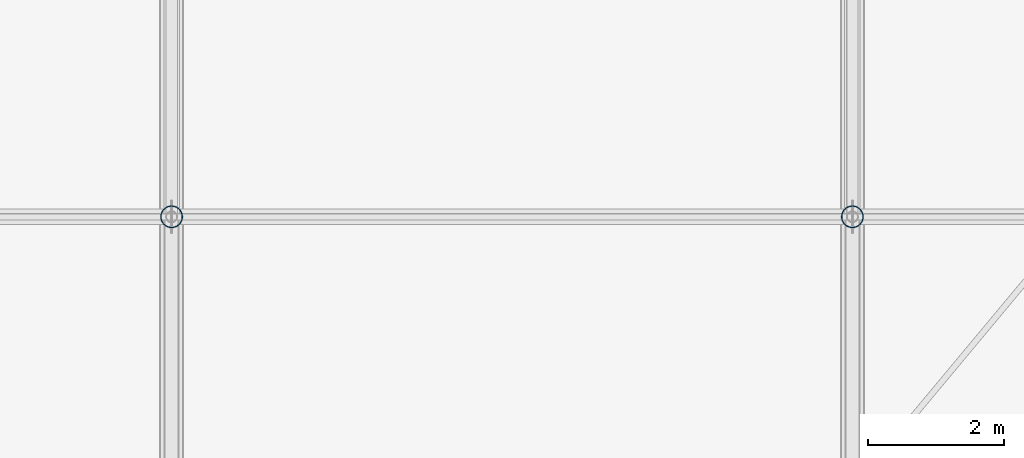
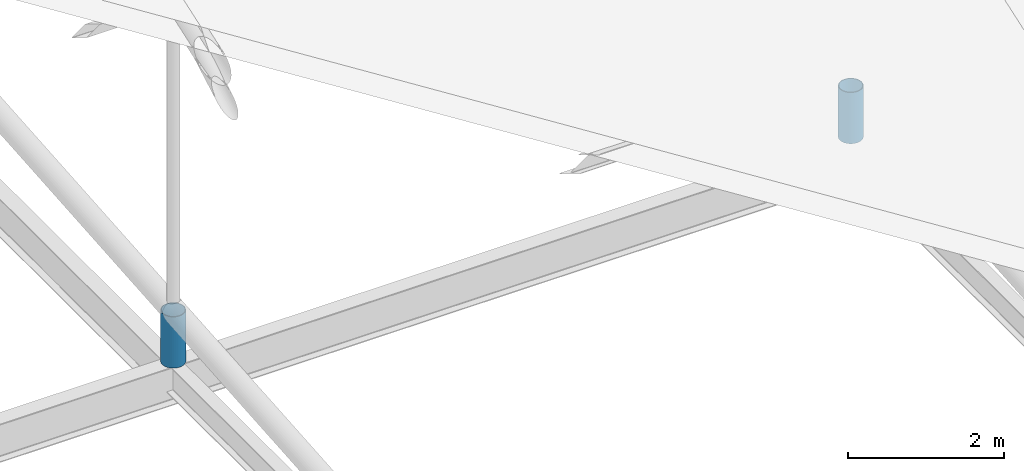
# One storey, part 76 of 93: 2 members.
"""IFC4 building model written with IfcOpenShell, lengths in metres."""

from ifc_helpers import new_model, si_unit, derived_unit, direction, frame, origin, origin_2d_with_axis, place, context, subcontext, project, spatial, hollow_circle, extrude, material, material_profile, profile_set, type_object, element, save


model = new_model("IFC4")

# Units and contexts
model_context = context("Model", 3, precision=1e-05, world=origin(), true_north=direction((0.0, 1.0)))
body_context = subcontext(model_context, "Body", "Model", "MODEL_VIEW")
ifc_project = project(units=[si_unit("LENGTHUNIT", "METRE"), si_unit("AREAUNIT", "SQUARE_METRE"), si_unit("VOLUMEUNIT", "CUBIC_METRE"), si_unit("PLANEANGLEUNIT", "RADIAN"), si_unit("MASSUNIT", "GRAM", prefix="KILO"), derived_unit("THERMALTRANSMITTANCEUNIT", [(si_unit("POWERUNIT", "WATT"), 1), (si_unit("LENGTHUNIT", "METRE"), -2), (si_unit("THERMODYNAMICTEMPERATUREUNIT", "KELVIN"), -1)])], contexts=[model_context])

# Site, building, storey
site_placement = place(None, origin())
site = spatial("IfcSite", under=ifc_project, at=site_placement, CompositionType="ELEMENT")
building_placement = place(site_placement, origin())
building = spatial("IfcBuilding", under=site, at=building_placement, Name="Cinnabar Yard Market Hall", CompositionType="ELEMENT")
storey_placement = place(building_placement, frame((0.0, 0.0, 23.800048828125)))
storey = spatial("IfcBuildingStorey", under=building, at=storey_placement, Name="ROOF", CompositionType="ELEMENT", Elevation=23.800048828125)

# Members
ifc_material = material(Name="Spotted-gum glulam-clad steel Grade 350 (350 MPa)", Category="steel")
ifc_material_profile = material_profile(ifc_material, hollow_circle(Radius=0.161865234375, WallThickness=0.009521484375, at=origin_2d_with_axis()), Name="323.9x9.5CHS")
ifc_profile_set = profile_set([ifc_material_profile], Name="Spotted-gum glulam-clad steel Grade 350 (350 MPa)")
member_type = type_object("IfcMemberType", Name="MB-ST01", PredefinedType="STRUT", material=ifc_profile_set)
for number, where, z_axis, x_axis, name in (
    (1, (126.0, 24.0, -9.400146484375), (0.0, 0.0, 1.0), (1.0, 0.0, 0.0), "Truss Bearing Post 126-24"),
    (2, (136.0, 24.0, -9.400146484375), (0.0, 0.0, 1.0), (1.0, 0.0, 0.0), "Truss Bearing Post 136-24"),
):
    element("IfcMember", number, at=place(storey_placement, frame(where, z_axis=z_axis, x_axis=x_axis)), inside=storey, type_object=member_type, Name=name, PredefinedType="STRUT", context=body_context, shape_type="SweptSolid", body=[
        extrude(hollow_circle(Radius=0.161865234375, WallThickness=0.009521484375, at=origin_2d_with_axis()), origin(), (0.0, 0.0, 1.0), 0.800048828125),
    ])

save(model, "model.ifc")
